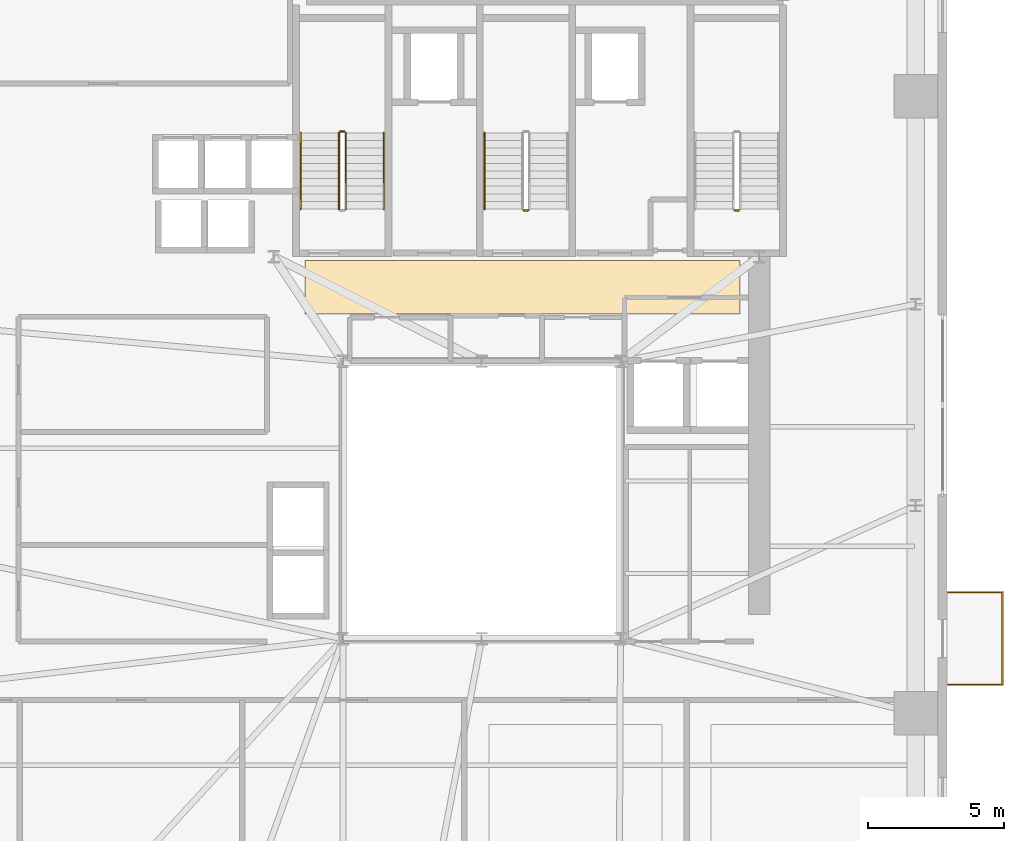
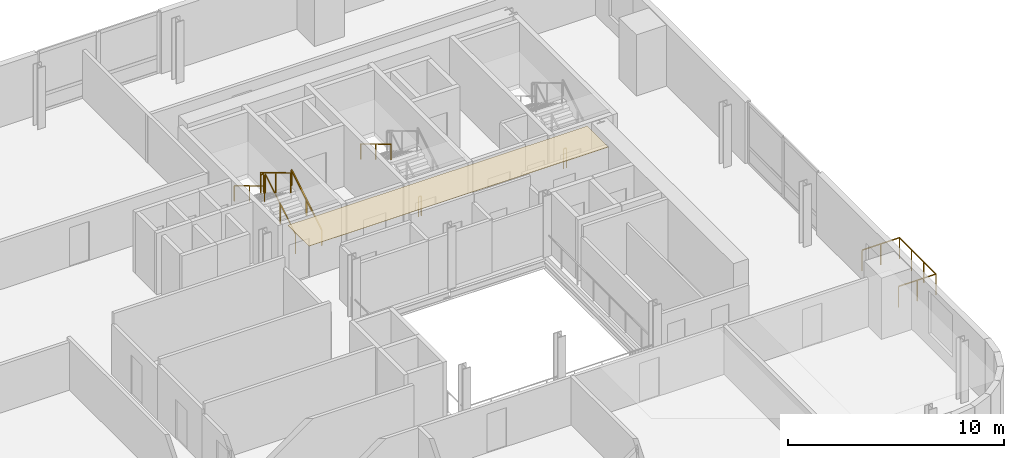
# One storey, part 12 of 13: 9 railings, 1 covering.
"""IFC4 building model written with IfcOpenShell, lengths in metres."""

from ifc_helpers import new_model, si_unit, direction, frame, origin, origin_2d, place, context, subcontext, project, spatial, polyline, rectangle, outline, extrude, source, transform, mapped, material, layer, layer_set, type_object, element, save


model = new_model("IFC4")

# Units and contexts
model_context = context("Model", 3, precision=1e-05, world=origin(), true_north=direction((0.0, 1.0)))
body_context = subcontext(model_context, "Body", "Model", "MODEL_VIEW")
ifc_project = project(units=[si_unit("LENGTHUNIT", "METRE"), si_unit("AREAUNIT", "SQUARE_METRE"), si_unit("VOLUMEUNIT", "CUBIC_METRE"), si_unit("PLANEANGLEUNIT", "RADIAN"), si_unit("MASSUNIT", "GRAM", prefix="KILO")], contexts=[model_context])

# Site, building, storey
site_placement = place(None, origin())
site = spatial("IfcSite", under=ifc_project, at=site_placement, CompositionType="ELEMENT")
building_placement = place(site_placement, origin())
building = spatial("IfcBuilding", under=site, at=building_placement, Name="Vardaveli Station Tower", CompositionType="ELEMENT")
storey_placement = place(building_placement, frame((0.0, 0.0, 159.39990234375)))
storey = spatial("IfcBuildingStorey", under=building, at=storey_placement, Name="L41", CompositionType="ELEMENT", Elevation=159.39990234375)

# Covering
ifc_material_1 = material(Name="Perforated acoustic mineral ceiling")
ifc_layer = layer(ifc_material_1, 0.02001953125, Name="Perforated acoustic mineral ceiling")
ifc_layer_set = layer_set([ifc_layer], Name="Perforated acoustic mineral ceiling")
covering_type = type_object("IfcCoveringType", Name="COV-CEIL-AC20", PredefinedType="CEILING", material=ifc_layer_set)
covering_placement = place(storey_placement, frame((0.0, 0.0, 3.445068359375)))
element("IfcCovering", 1, at=covering_placement, inside=storey, type_object=covering_type, Name="CEIL-L41-4", PredefinedType="CEILING", context=body_context, shape_type="SweptSolid", body=[
    extrude(outline(polyline([(29.800048828125, 28.550048828125), (45.800048828125, 28.550048828125), (45.800048828125, 30.5), (29.800048828125, 30.5), (29.800048828125, 28.550048828125)])), origin(), (0.0, 0.0, 1.0), 0.02001953125),
])

# Railings
ifc_material_2 = material(Name="Laminated glass and stainless steel balustrade", Category="steel")
railing_type_1 = type_object("IfcRailingType", Name="RL-BAL-1200", PredefinedType="BALUSTRADE", material=ifc_material_2)
shared_shape_1 = source(origin(), body_context, "Body", "SweptSolid", [
    extrude(rectangle(XDim=0.048095703125, YDim=0.048095703125, at=origin_2d()), frame((0.0, 0.0, 1.17578125), z_axis=(1.0, 0.0, 0.0), x_axis=(0.0, 1.0, 0.0)), (0.0, 0.0, 1.0), 2.0),
    extrude(rectangle(XDim=0.048095703125, YDim=0.048095703125, at=origin_2d()), frame((2.0, 0.0, 1.17578125), z_axis=(0.0, 1.0, 0.0), x_axis=(-1.0, 0.0, 0.0)), (0.0, 0.0, 1.0), 3.3798828125),
    extrude(rectangle(XDim=0.048095703125, YDim=0.048095703125, at=origin_2d()), frame((2.0, 3.3798828125, 1.17578125), z_axis=(-1.0, 0.0, 0.0), x_axis=(0.0, -1.0, 0.0)), (0.0, 0.0, 1.0), 2.0),
    extrude(rectangle(XDim=0.0419921875, YDim=0.0419921875, at=origin_2d()), origin(), (0.0, 0.0, 1.0), 1.15185546875),
    extrude(rectangle(XDim=0.0419921875, YDim=0.0419921875, at=origin_2d()), frame((1.0, 0.0, 0.0)), (0.0, 0.0, 1.0), 1.15185546875),
    extrude(rectangle(XDim=0.0419921875, YDim=0.0419921875, at=origin_2d()), frame((2.0, 0.0, 0.0)), (0.0, 0.0, 1.0), 1.15185546875),
    extrude(rectangle(XDim=0.0419921875, YDim=0.0419921875, at=origin_2d()), frame((2.0, 1.126708984375, 0.0)), (0.0, 0.0, 1.0), 1.15185546875),
    extrude(rectangle(XDim=0.0419921875, YDim=0.0419921875, at=origin_2d()), frame((2.0, 2.253173828125, 0.0)), (0.0, 0.0, 1.0), 1.15185546875),
    extrude(rectangle(XDim=0.0419921875, YDim=0.0419921875, at=origin_2d()), frame((2.0, 3.3798828125, 0.0)), (0.0, 0.0, 1.0), 1.15185546875),
    extrude(rectangle(XDim=0.0419921875, YDim=0.0419921875, at=origin_2d()), frame((1.0, 3.3798828125, 0.0)), (0.0, 0.0, 1.0), 1.15185546875),
    extrude(rectangle(XDim=0.0419921875, YDim=0.0419921875, at=origin_2d()), frame((0.0, 3.3798828125, 0.0)), (0.0, 0.0, 1.0), 1.15185546875),
])
railing_1_placement = place(storey_placement, frame((53.43994140625, 14.92041015625, 0.0)))
element("IfcRailing", 2, at=railing_1_placement, inside=storey, type_object=railing_type_1, Name="RL-LOG-L41-04", PredefinedType="BALUSTRADE", context=body_context, shape_type="MappedRepresentation", body=[
    mapped(shared_shape_1, transform((0.0, 0.0, 0.0), scale=1.0)),
])
ifc_material_3 = material(Name="Brushed AISI 316 stainless steel", Category="steel")
railing_type_2 = type_object("IfcRailingType", Name="RL-GUARD-1150", PredefinedType="GUARDRAIL", material=ifc_material_3)
shared_shape_2 = source(origin(), body_context, "Body", "SweptSolid", [
    extrude(rectangle(XDim=0.048095703125, YDim=0.048095703125, at=origin_2d()), frame((0.0, 0.0, 1.1259765625), z_axis=(-1.0, 0.0, 0.0), x_axis=(0.0, -1.0, 0.0)), (0.0, 0.0, 1.0), 0.14990234375),
    extrude(rectangle(XDim=0.0419921875, YDim=0.0419921875, at=origin_2d()), origin(), (0.0, 0.0, 1.0), 1.101806640625),
    extrude(rectangle(XDim=0.0419921875, YDim=0.0419921875, at=origin_2d()), frame((-0.14990234375, 0.0, 0.0)), (0.0, 0.0, 1.0), 1.101806640625),
])
for number, where, name in (
    (3, (31.25, 35.25, 1.85009765625), "L41 ST-1 stair guard 2"),
    (4, (38.0, 32.35009765625, 0.0), "L41 ST-2 stair guard 4"),
    (5, (45.75, 32.35009765625, 0.0), "L41 ST-3 stair guard 4"),
):
    element("IfcRailing", number, at=place(storey_placement, frame(where)), inside=storey, type_object=railing_type_2, Name=name, PredefinedType="GUARDRAIL", context=body_context, shape_type="MappedRepresentation", body=[
        mapped(shared_shape_2, transform((0.0, 0.0, 0.0), scale=1.0)),
    ])
shared_shape_3 = source(origin(), body_context, "Body", "SweptSolid", [
    extrude(rectangle(XDim=0.048095703125, YDim=0.048095703125, at=origin_2d()), frame((0.0, 0.0, 1.1259765625), z_axis=(0.0, -0.857242210791, 0.514913383045), x_axis=(1.0, 0.0, 0.0)), (0.0, 0.0, 1.0), 3.266357421875),
    extrude(rectangle(XDim=0.0419921875, YDim=0.0419921875, at=origin_2d()), origin(), (0.0, 0.0, 1.0), 1.101806640625),
    extrude(rectangle(XDim=0.0419921875, YDim=0.0419921875, at=origin_2d()), frame((0.0, -1.39990234375, 0.8408203125)), (0.0, 0.0, 1.0), 1.101806640625),
    extrude(rectangle(XDim=0.0419921875, YDim=0.0419921875, at=origin_2d()), frame((0.0, -2.800048828125, 1.681884765625)), (0.0, 0.0, 1.0), 1.101806640625),
])
railing_2_placement = place(storey_placement, frame((31.050048828125, 35.199951171875, 2.018310546875)))
element("IfcRailing", 6, at=railing_2_placement, inside=storey, type_object=railing_type_2, Name="L41 ST-1 stair guard 3", PredefinedType="GUARDRAIL", context=body_context, shape_type="MappedRepresentation", body=[
    mapped(shared_shape_3, transform((0.0, 0.0, 0.0), scale=1.0)),
])
railing_type_3 = type_object("IfcRailingType", Name="RL-HAND-900", PredefinedType="HANDRAIL", material=ifc_material_3)
shared_shape_4 = source(origin(), body_context, "Body", "SweptSolid", [
    extrude(rectangle(XDim=0.048095703125, YDim=0.048095703125, at=origin_2d()), frame((0.0, 0.0, 0.8759765625), z_axis=(0.0, -0.857242210791, 0.514913383045), x_axis=(1.0, 0.0, 0.0)), (0.0, 0.0, 1.0), 3.266357421875),
    extrude(rectangle(XDim=0.0419921875, YDim=0.0419921875, at=origin_2d()), origin(), (0.0, 0.0, 1.0), 0.851806640625),
    extrude(rectangle(XDim=0.0419921875, YDim=0.0419921875, at=origin_2d()), frame((0.0, -1.39990234375, 0.8408203125)), (0.0, 0.0, 1.0), 0.851806640625),
    extrude(rectangle(XDim=0.0419921875, YDim=0.0419921875, at=origin_2d()), frame((0.0, -2.800048828125, 1.681884765625)), (0.0, 0.0, 1.0), 0.851806640625),
])
for number, where, name in (
    (7, (29.64990234375, 35.199951171875, 2.018310546875), "L41 ST-1 stair handrail 2"),
    (8, (36.39990234375, 35.199951171875, 2.018310546875), "L41 ST-2 stair handrail 2"),
):
    element("IfcRailing", number, at=place(storey_placement, frame(where)), inside=storey, type_object=railing_type_3, Name=name, PredefinedType="HANDRAIL", context=body_context, shape_type="MappedRepresentation", body=[
        mapped(shared_shape_4, transform((0.0, 0.0, 0.0), scale=1.0)),
    ])
shared_shape_5 = source(origin(), body_context, "Body", "SweptSolid", [
    extrude(rectangle(XDim=0.048095703125, YDim=0.048095703125, at=origin_2d()), frame((0.0, 0.0, 1.1259765625), z_axis=(0.0, 0.857242210791, 0.514913383045), x_axis=(-1.0, 0.0, 0.0)), (0.0, 0.0, 1.0), 3.266357421875),
    extrude(rectangle(XDim=0.0419921875, YDim=0.0419921875, at=origin_2d()), origin(), (0.0, 0.0, 1.0), 1.101806640625),
    extrude(rectangle(XDim=0.0419921875, YDim=0.0419921875, at=origin_2d()), frame((0.0, 1.39990234375, 0.8408203125)), (0.0, 0.0, 1.0), 1.101806640625),
    extrude(rectangle(XDim=0.0419921875, YDim=0.0419921875, at=origin_2d()), frame((0.0, 2.800048828125, 1.681884765625)), (0.0, 0.0, 1.0), 1.101806640625),
])
railing_3_placement = place(storey_placement, frame((31.300048828125, 32.39990234375, 0.168212890625)))
element("IfcRailing", 9, at=railing_3_placement, inside=storey, type_object=railing_type_2, Name="L41 ST-1 stair guard 1", PredefinedType="GUARDRAIL", context=body_context, shape_type="MappedRepresentation", body=[
    mapped(shared_shape_5, transform((0.0, 0.0, 0.0), scale=1.0)),
])
shared_shape_6 = source(origin(), body_context, "Body", "SweptSolid", [
    extrude(rectangle(XDim=0.048095703125, YDim=0.048095703125, at=origin_2d()), frame((0.0, 0.0, 0.8759765625), z_axis=(0.0, 0.857242210791, 0.514913383045), x_axis=(-1.0, 0.0, 0.0)), (0.0, 0.0, 1.0), 3.266357421875),
    extrude(rectangle(XDim=0.0419921875, YDim=0.0419921875, at=origin_2d()), origin(), (0.0, 0.0, 1.0), 0.851806640625),
    extrude(rectangle(XDim=0.0419921875, YDim=0.0419921875, at=origin_2d()), frame((0.0, 1.39990234375, 0.8408203125)), (0.0, 0.0, 1.0), 0.851806640625),
    extrude(rectangle(XDim=0.0419921875, YDim=0.0419921875, at=origin_2d()), frame((0.0, 2.800048828125, 1.681884765625)), (0.0, 0.0, 1.0), 0.851806640625),
])
railing_4_placement = place(storey_placement, frame((32.699951171875, 32.39990234375, 0.168212890625)))
element("IfcRailing", 10, at=railing_4_placement, inside=storey, type_object=railing_type_3, Name="L41 ST-1 stair handrail 1", PredefinedType="HANDRAIL", context=body_context, shape_type="MappedRepresentation", body=[
    mapped(shared_shape_6, transform((0.0, 0.0, 0.0), scale=1.0)),
])

save(model, "model.ifc")
